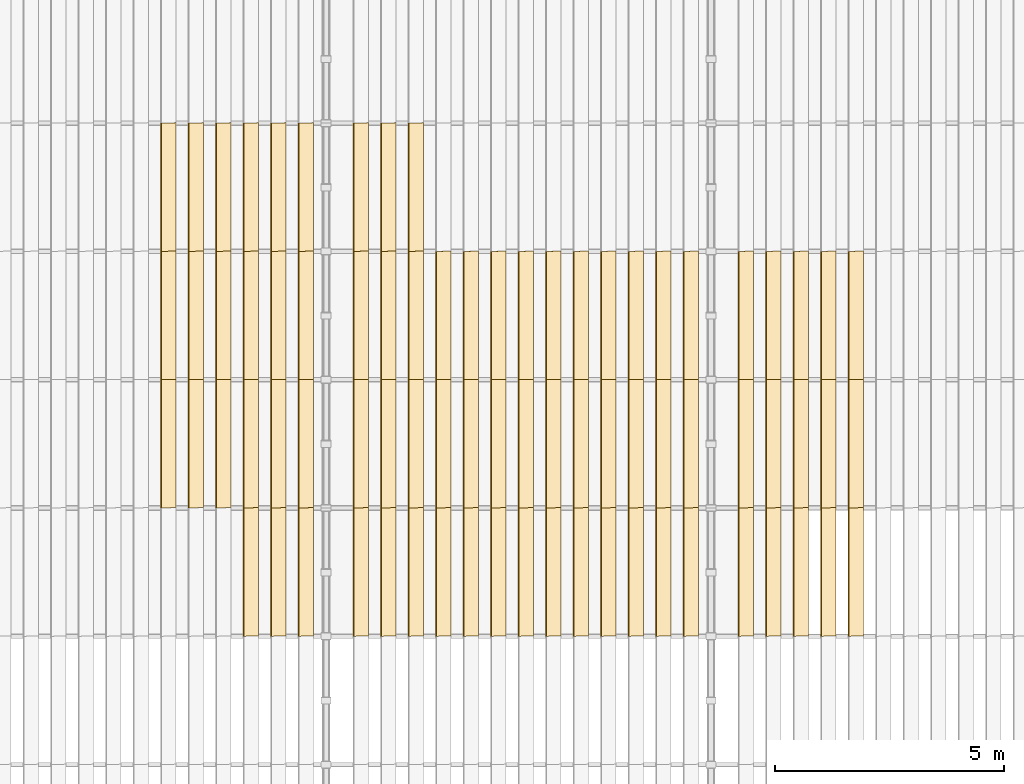
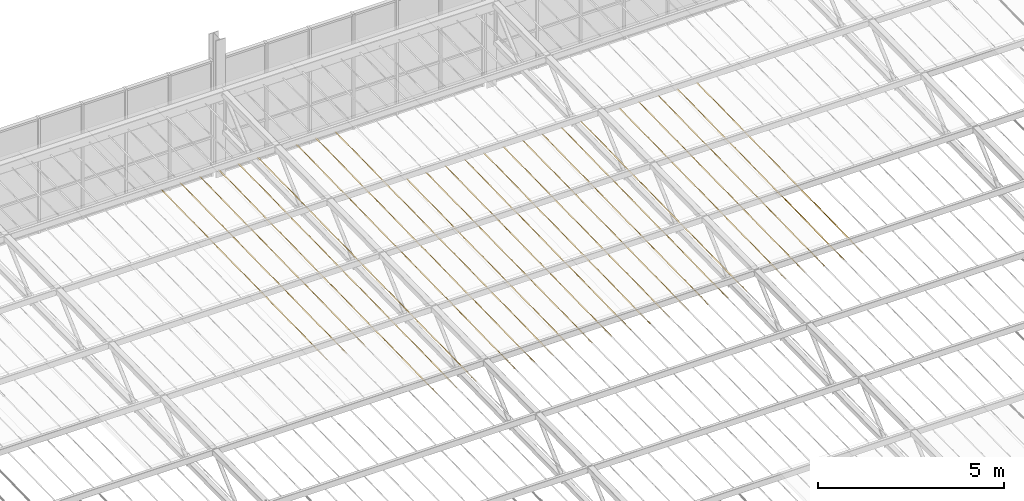
# One storey, part 123 of 129: 78 coverings.
"""IFC4 building model written with IfcOpenShell, lengths in metres."""

from ifc_helpers import new_model, si_unit, direction, frame, origin, place, context, subcontext, project, spatial, polyline, outline, extrude, material, material_profile, profile_set, type_object, element, save


model = new_model("IFC4")

# Units and contexts
model_context = context("Model", 3, precision=1e-05, world=origin(), true_north=direction((0.0, 1.0)))
body_context = subcontext(model_context, "Body", "Model", "MODEL_VIEW")
ifc_project = project(units=[si_unit("LENGTHUNIT", "METRE"), si_unit("AREAUNIT", "SQUARE_METRE"), si_unit("VOLUMEUNIT", "CUBIC_METRE"), si_unit("PLANEANGLEUNIT", "RADIAN"), si_unit("MASSUNIT", "GRAM", prefix="KILO")], contexts=[model_context])

# Site, building, storey
site_placement = place(None, origin())
site = spatial("IfcSite", under=ifc_project, at=site_placement, CompositionType="ELEMENT")
building_placement = place(site_placement, origin())
building = spatial("IfcBuilding", under=site, at=building_placement, Name="Ardhachandra Cancer Care Centre", CompositionType="ELEMENT")
storey_placement = place(building_placement, frame((0.0, 0.0, 4.5)))
storey = spatial("IfcBuildingStorey", under=building, at=storey_placement, Name="L01", CompositionType="ELEMENT", Elevation=4.5)

# Coverings
ifc_material = material(Name="Anodised aluminium", Category="aluminium")
ifc_material_profile = material_profile(ifc_material, outline(polyline([(-0.01220703125, 0.0), (0.01220703125, 0.0), (0.327392578125, -0.449951171875), (0.302978515625, -0.449951171875), (-0.01220703125, 0.0)])), Name="Louvre fin 450")
ifc_profile_set = profile_set([ifc_material_profile], Name="Anodised aluminium")
covering_type = type_object("IfcCoveringType", Name="Louvre fin 450", PredefinedType="CLADDING", material=ifc_profile_set)
for number, where, z_axis, x_axis, name in (
    (1, (74.39990234375, 51.375, 2.6875), (0.0, -0.999800721691, -0.019962888244), (1.0, 0.0, 0.0), "Louvre fin 50-2"),
    (2, (74.39990234375, 48.574951171875, 2.631591796875), (0.0, -0.999798977995, -0.02005002746), (1.0, 0.0, 0.0), "Louvre fin 50-3"),
):
    element("IfcCovering", number, at=place(storey_placement, frame(where, z_axis=z_axis, x_axis=x_axis)), inside=storey, type_object=covering_type, Name=name, PredefinedType="CLADDING", context=body_context, shape_type="SweptSolid", body=[
        extrude(outline(polyline([(-0.01220703125, 0.0), (0.01220703125, 0.0), (0.327392578125, -0.449951171875), (0.302978515625, -0.449951171875), (-0.01220703125, 0.0)])), origin(), (0.0, 0.0, 1.0), 2.800537109375),
    ])
covering_1_placement = place(storey_placement, frame((74.39990234375, 45.77490234375, 2.575439453125), z_axis=(0.0, -0.999800686946, -0.019964628297), x_axis=(1.0, 0.0, 0.0)))
element("IfcCovering", 3, at=covering_1_placement, inside=storey, type_object=covering_type, Name="Louvre fin 50-4", PredefinedType="CLADDING", context=body_context, shape_type="SweptSolid", body=[
    extrude(outline(polyline([(-0.01220703125, 0.0), (0.01220703125, 0.0), (0.327392578125, -0.449951171875), (0.302978515625, -0.449951171875), (-0.01220703125, 0.0)])), origin(), (0.0, 0.0, 1.0), 2.80029296875),
])
for number, where, z_axis, x_axis, name in (
    (4, (75.0, 51.375, 2.6875), (0.0, -0.999800721691, -0.019962888244), (1.0, 0.0, 0.0), "Louvre fin 51-2"),
    (5, (75.0, 48.574951171875, 2.631591796875), (0.0, -0.999798977995, -0.02005002746), (1.0, 0.0, 0.0), "Louvre fin 51-3"),
):
    element("IfcCovering", number, at=place(storey_placement, frame(where, z_axis=z_axis, x_axis=x_axis)), inside=storey, type_object=covering_type, Name=name, PredefinedType="CLADDING", context=body_context, shape_type="SweptSolid", body=[
        extrude(outline(polyline([(-0.01220703125, 0.0), (0.01220703125, 0.0), (0.327392578125, -0.449951171875), (0.302978515625, -0.449951171875), (-0.01220703125, 0.0)])), origin(), (0.0, 0.0, 1.0), 2.800537109375),
    ])
covering_2_placement = place(storey_placement, frame((75.0, 45.77490234375, 2.575439453125), z_axis=(0.0, -0.999800686946, -0.019964628297), x_axis=(1.0, 0.0, 0.0)))
element("IfcCovering", 6, at=covering_2_placement, inside=storey, type_object=covering_type, Name="Louvre fin 51-4", PredefinedType="CLADDING", context=body_context, shape_type="SweptSolid", body=[
    extrude(outline(polyline([(-0.01220703125, 0.0), (0.01220703125, 0.0), (0.327392578125, -0.449951171875), (0.302978515625, -0.449951171875), (-0.01220703125, 0.0)])), origin(), (0.0, 0.0, 1.0), 2.80029296875),
])
for number, where, z_axis, x_axis, name in (
    (7, (75.60009765625, 51.375, 2.6875), (0.0, -0.999800721691, -0.019962888244), (1.0, 0.0, 0.0), "Louvre fin 52-2"),
    (8, (75.60009765625, 48.574951171875, 2.631591796875), (0.0, -0.999798977995, -0.02005002746), (1.0, 0.0, 0.0), "Louvre fin 52-3"),
):
    element("IfcCovering", number, at=place(storey_placement, frame(where, z_axis=z_axis, x_axis=x_axis)), inside=storey, type_object=covering_type, Name=name, PredefinedType="CLADDING", context=body_context, shape_type="SweptSolid", body=[
        extrude(outline(polyline([(-0.01220703125, 0.0), (0.01220703125, 0.0), (0.327392578125, -0.449951171875), (0.302978515625, -0.449951171875), (-0.01220703125, 0.0)])), origin(), (0.0, 0.0, 1.0), 2.800537109375),
    ])
covering_3_placement = place(storey_placement, frame((75.60009765625, 45.77490234375, 2.575439453125), z_axis=(0.0, -0.999800686946, -0.019964628297), x_axis=(1.0, 0.0, 0.0)))
element("IfcCovering", 9, at=covering_3_placement, inside=storey, type_object=covering_type, Name="Louvre fin 52-4", PredefinedType="CLADDING", context=body_context, shape_type="SweptSolid", body=[
    extrude(outline(polyline([(-0.01220703125, 0.0), (0.01220703125, 0.0), (0.327392578125, -0.449951171875), (0.302978515625, -0.449951171875), (-0.01220703125, 0.0)])), origin(), (0.0, 0.0, 1.0), 2.80029296875),
])
for number, where, z_axis, x_axis, name in (
    (10, (76.199951171875, 51.375, 2.6875), (0.0, -0.999800721691, -0.019962888244), (1.0, 0.0, 0.0), "Louvre fin 53-2"),
    (11, (76.199951171875, 48.574951171875, 2.631591796875), (0.0, -0.999798977995, -0.02005002746), (1.0, 0.0, 0.0), "Louvre fin 53-3"),
):
    element("IfcCovering", number, at=place(storey_placement, frame(where, z_axis=z_axis, x_axis=x_axis)), inside=storey, type_object=covering_type, Name=name, PredefinedType="CLADDING", context=body_context, shape_type="SweptSolid", body=[
        extrude(outline(polyline([(-0.01220703125, 0.0), (0.01220703125, 0.0), (0.327392578125, -0.449951171875), (0.302978515625, -0.449951171875), (-0.01220703125, 0.0)])), origin(), (0.0, 0.0, 1.0), 2.800537109375),
    ])
covering_4_placement = place(storey_placement, frame((76.199951171875, 45.77490234375, 2.575439453125), z_axis=(0.0, -0.999800686946, -0.019964628297), x_axis=(1.0, 0.0, 0.0)))
element("IfcCovering", 12, at=covering_4_placement, inside=storey, type_object=covering_type, Name="Louvre fin 53-4", PredefinedType="CLADDING", context=body_context, shape_type="SweptSolid", body=[
    extrude(outline(polyline([(-0.01220703125, 0.0), (0.01220703125, 0.0), (0.327392578125, -0.449951171875), (0.302978515625, -0.449951171875), (-0.01220703125, 0.0)])), origin(), (0.0, 0.0, 1.0), 2.80029296875),
])
for number, where, z_axis, x_axis, name in (
    (13, (76.199951171875, 42.97509765625, 2.51953125), (0.0, -0.999798977995, -0.02005002746), (1.0, 0.0, 0.0), "Louvre fin 53-5"),
    (14, (76.800048828125, 51.375, 2.6875), (0.0, -0.999800721691, -0.019962888244), (1.0, 0.0, 0.0), "Louvre fin 54-2"),
    (15, (76.800048828125, 48.574951171875, 2.631591796875), (0.0, -0.999798977995, -0.02005002746), (1.0, 0.0, 0.0), "Louvre fin 54-3"),
):
    element("IfcCovering", number, at=place(storey_placement, frame(where, z_axis=z_axis, x_axis=x_axis)), inside=storey, type_object=covering_type, Name=name, PredefinedType="CLADDING", context=body_context, shape_type="SweptSolid", body=[
        extrude(outline(polyline([(-0.01220703125, 0.0), (0.01220703125, 0.0), (0.327392578125, -0.449951171875), (0.302978515625, -0.449951171875), (-0.01220703125, 0.0)])), origin(), (0.0, 0.0, 1.0), 2.800537109375),
    ])
covering_5_placement = place(storey_placement, frame((76.800048828125, 45.77490234375, 2.575439453125), z_axis=(0.0, -0.999800686946, -0.019964628297), x_axis=(1.0, 0.0, 0.0)))
element("IfcCovering", 16, at=covering_5_placement, inside=storey, type_object=covering_type, Name="Louvre fin 54-4", PredefinedType="CLADDING", context=body_context, shape_type="SweptSolid", body=[
    extrude(outline(polyline([(-0.01220703125, 0.0), (0.01220703125, 0.0), (0.327392578125, -0.449951171875), (0.302978515625, -0.449951171875), (-0.01220703125, 0.0)])), origin(), (0.0, 0.0, 1.0), 2.80029296875),
])
for number, where, z_axis, x_axis, name in (
    (17, (76.800048828125, 42.97509765625, 2.51953125), (0.0, -0.999798977995, -0.02005002746), (1.0, 0.0, 0.0), "Louvre fin 54-5"),
    (18, (77.39990234375, 51.375, 2.6875), (0.0, -0.999800721691, -0.019962888244), (1.0, 0.0, 0.0), "Louvre fin 55-2"),
    (19, (77.39990234375, 48.574951171875, 2.631591796875), (0.0, -0.999798977995, -0.02005002746), (1.0, 0.0, 0.0), "Louvre fin 55-3"),
):
    element("IfcCovering", number, at=place(storey_placement, frame(where, z_axis=z_axis, x_axis=x_axis)), inside=storey, type_object=covering_type, Name=name, PredefinedType="CLADDING", context=body_context, shape_type="SweptSolid", body=[
        extrude(outline(polyline([(-0.01220703125, 0.0), (0.01220703125, 0.0), (0.327392578125, -0.449951171875), (0.302978515625, -0.449951171875), (-0.01220703125, 0.0)])), origin(), (0.0, 0.0, 1.0), 2.800537109375),
    ])
covering_6_placement = place(storey_placement, frame((77.39990234375, 45.77490234375, 2.575439453125), z_axis=(0.0, -0.999800686946, -0.019964628297), x_axis=(1.0, 0.0, 0.0)))
element("IfcCovering", 20, at=covering_6_placement, inside=storey, type_object=covering_type, Name="Louvre fin 55-4", PredefinedType="CLADDING", context=body_context, shape_type="SweptSolid", body=[
    extrude(outline(polyline([(-0.01220703125, 0.0), (0.01220703125, 0.0), (0.327392578125, -0.449951171875), (0.302978515625, -0.449951171875), (-0.01220703125, 0.0)])), origin(), (0.0, 0.0, 1.0), 2.80029296875),
])
for number, where, z_axis, x_axis, name in (
    (21, (77.39990234375, 42.97509765625, 2.51953125), (0.0, -0.999798977995, -0.02005002746), (1.0, 0.0, 0.0), "Louvre fin 55-5"),
    (22, (78.60009765625, 51.375, 2.6875), (0.0, -0.999800721691, -0.019962888244), (1.0, 0.0, 0.0), "Louvre fin 57-2"),
    (23, (78.60009765625, 48.574951171875, 2.631591796875), (0.0, -0.999798977995, -0.02005002746), (1.0, 0.0, 0.0), "Louvre fin 57-3"),
):
    element("IfcCovering", number, at=place(storey_placement, frame(where, z_axis=z_axis, x_axis=x_axis)), inside=storey, type_object=covering_type, Name=name, PredefinedType="CLADDING", context=body_context, shape_type="SweptSolid", body=[
        extrude(outline(polyline([(-0.01220703125, 0.0), (0.01220703125, 0.0), (0.327392578125, -0.449951171875), (0.302978515625, -0.449951171875), (-0.01220703125, 0.0)])), origin(), (0.0, 0.0, 1.0), 2.800537109375),
    ])
covering_7_placement = place(storey_placement, frame((78.60009765625, 45.77490234375, 2.575439453125), z_axis=(0.0, -0.999800686946, -0.019964628297), x_axis=(1.0, 0.0, 0.0)))
element("IfcCovering", 24, at=covering_7_placement, inside=storey, type_object=covering_type, Name="Louvre fin 57-4", PredefinedType="CLADDING", context=body_context, shape_type="SweptSolid", body=[
    extrude(outline(polyline([(-0.01220703125, 0.0), (0.01220703125, 0.0), (0.327392578125, -0.449951171875), (0.302978515625, -0.449951171875), (-0.01220703125, 0.0)])), origin(), (0.0, 0.0, 1.0), 2.80029296875),
])
for number, where, z_axis, x_axis, name in (
    (25, (78.60009765625, 42.97509765625, 2.51953125), (0.0, -0.999798977995, -0.02005002746), (1.0, 0.0, 0.0), "Louvre fin 57-5"),
    (26, (79.199951171875, 51.375, 2.6875), (0.0, -0.999800721691, -0.019962888244), (1.0, 0.0, 0.0), "Louvre fin 58-2"),
    (27, (79.199951171875, 48.574951171875, 2.631591796875), (0.0, -0.999798977995, -0.02005002746), (1.0, 0.0, 0.0), "Louvre fin 58-3"),
):
    element("IfcCovering", number, at=place(storey_placement, frame(where, z_axis=z_axis, x_axis=x_axis)), inside=storey, type_object=covering_type, Name=name, PredefinedType="CLADDING", context=body_context, shape_type="SweptSolid", body=[
        extrude(outline(polyline([(-0.01220703125, 0.0), (0.01220703125, 0.0), (0.327392578125, -0.449951171875), (0.302978515625, -0.449951171875), (-0.01220703125, 0.0)])), origin(), (0.0, 0.0, 1.0), 2.800537109375),
    ])
covering_8_placement = place(storey_placement, frame((79.199951171875, 45.77490234375, 2.575439453125), z_axis=(0.0, -0.999800686946, -0.019964628297), x_axis=(1.0, 0.0, 0.0)))
element("IfcCovering", 28, at=covering_8_placement, inside=storey, type_object=covering_type, Name="Louvre fin 58-4", PredefinedType="CLADDING", context=body_context, shape_type="SweptSolid", body=[
    extrude(outline(polyline([(-0.01220703125, 0.0), (0.01220703125, 0.0), (0.327392578125, -0.449951171875), (0.302978515625, -0.449951171875), (-0.01220703125, 0.0)])), origin(), (0.0, 0.0, 1.0), 2.80029296875),
])
for number, where, z_axis, x_axis, name in (
    (29, (79.199951171875, 42.97509765625, 2.51953125), (0.0, -0.999798977995, -0.02005002746), (1.0, 0.0, 0.0), "Louvre fin 58-5"),
    (30, (79.800048828125, 51.375, 2.6875), (0.0, -0.999800721691, -0.019962888244), (1.0, 0.0, 0.0), "Louvre fin 59-2"),
    (31, (79.800048828125, 48.574951171875, 2.631591796875), (0.0, -0.999798977995, -0.02005002746), (1.0, 0.0, 0.0), "Louvre fin 59-3"),
):
    element("IfcCovering", number, at=place(storey_placement, frame(where, z_axis=z_axis, x_axis=x_axis)), inside=storey, type_object=covering_type, Name=name, PredefinedType="CLADDING", context=body_context, shape_type="SweptSolid", body=[
        extrude(outline(polyline([(-0.01220703125, 0.0), (0.01220703125, 0.0), (0.327392578125, -0.449951171875), (0.302978515625, -0.449951171875), (-0.01220703125, 0.0)])), origin(), (0.0, 0.0, 1.0), 2.800537109375),
    ])
covering_9_placement = place(storey_placement, frame((79.800048828125, 45.77490234375, 2.575439453125), z_axis=(0.0, -0.999800686946, -0.019964628297), x_axis=(1.0, 0.0, 0.0)))
element("IfcCovering", 32, at=covering_9_placement, inside=storey, type_object=covering_type, Name="Louvre fin 59-4", PredefinedType="CLADDING", context=body_context, shape_type="SweptSolid", body=[
    extrude(outline(polyline([(-0.01220703125, 0.0), (0.01220703125, 0.0), (0.327392578125, -0.449951171875), (0.302978515625, -0.449951171875), (-0.01220703125, 0.0)])), origin(), (0.0, 0.0, 1.0), 2.80029296875),
])
for number, where, z_axis, x_axis, name in (
    (33, (79.800048828125, 42.97509765625, 2.51953125), (0.0, -0.999798977995, -0.02005002746), (1.0, 0.0, 0.0), "Louvre fin 59-5"),
    (34, (80.39990234375, 48.574951171875, 2.631591796875), (0.0, -0.999798977995, -0.02005002746), (1.0, 0.0, 0.0), "Louvre fin 60-3"),
):
    element("IfcCovering", number, at=place(storey_placement, frame(where, z_axis=z_axis, x_axis=x_axis)), inside=storey, type_object=covering_type, Name=name, PredefinedType="CLADDING", context=body_context, shape_type="SweptSolid", body=[
        extrude(outline(polyline([(-0.01220703125, 0.0), (0.01220703125, 0.0), (0.327392578125, -0.449951171875), (0.302978515625, -0.449951171875), (-0.01220703125, 0.0)])), origin(), (0.0, 0.0, 1.0), 2.800537109375),
    ])
covering_10_placement = place(storey_placement, frame((80.39990234375, 45.77490234375, 2.575439453125), z_axis=(0.0, -0.999800686946, -0.019964628297), x_axis=(1.0, 0.0, 0.0)))
element("IfcCovering", 35, at=covering_10_placement, inside=storey, type_object=covering_type, Name="Louvre fin 60-4", PredefinedType="CLADDING", context=body_context, shape_type="SweptSolid", body=[
    extrude(outline(polyline([(-0.01220703125, 0.0), (0.01220703125, 0.0), (0.327392578125, -0.449951171875), (0.302978515625, -0.449951171875), (-0.01220703125, 0.0)])), origin(), (0.0, 0.0, 1.0), 2.80029296875),
])
for number, where, z_axis, x_axis, name in (
    (36, (80.39990234375, 42.97509765625, 2.51953125), (0.0, -0.999798977995, -0.02005002746), (1.0, 0.0, 0.0), "Louvre fin 60-5"),
    (37, (81.0, 48.574951171875, 2.631591796875), (0.0, -0.999798977995, -0.02005002746), (1.0, 0.0, 0.0), "Louvre fin 61-3"),
):
    element("IfcCovering", number, at=place(storey_placement, frame(where, z_axis=z_axis, x_axis=x_axis)), inside=storey, type_object=covering_type, Name=name, PredefinedType="CLADDING", context=body_context, shape_type="SweptSolid", body=[
        extrude(outline(polyline([(-0.01220703125, 0.0), (0.01220703125, 0.0), (0.327392578125, -0.449951171875), (0.302978515625, -0.449951171875), (-0.01220703125, 0.0)])), origin(), (0.0, 0.0, 1.0), 2.800537109375),
    ])
covering_11_placement = place(storey_placement, frame((81.0, 45.77490234375, 2.575439453125), z_axis=(0.0, -0.999800686946, -0.019964628297), x_axis=(1.0, 0.0, 0.0)))
element("IfcCovering", 38, at=covering_11_placement, inside=storey, type_object=covering_type, Name="Louvre fin 61-4", PredefinedType="CLADDING", context=body_context, shape_type="SweptSolid", body=[
    extrude(outline(polyline([(-0.01220703125, 0.0), (0.01220703125, 0.0), (0.327392578125, -0.449951171875), (0.302978515625, -0.449951171875), (-0.01220703125, 0.0)])), origin(), (0.0, 0.0, 1.0), 2.80029296875),
])
for number, where, z_axis, x_axis, name in (
    (39, (81.0, 42.97509765625, 2.51953125), (0.0, -0.999798977995, -0.02005002746), (1.0, 0.0, 0.0), "Louvre fin 61-5"),
    (40, (81.60009765625, 48.574951171875, 2.631591796875), (0.0, -0.999798977995, -0.02005002746), (1.0, 0.0, 0.0), "Louvre fin 62-3"),
):
    element("IfcCovering", number, at=place(storey_placement, frame(where, z_axis=z_axis, x_axis=x_axis)), inside=storey, type_object=covering_type, Name=name, PredefinedType="CLADDING", context=body_context, shape_type="SweptSolid", body=[
        extrude(outline(polyline([(-0.01220703125, 0.0), (0.01220703125, 0.0), (0.327392578125, -0.449951171875), (0.302978515625, -0.449951171875), (-0.01220703125, 0.0)])), origin(), (0.0, 0.0, 1.0), 2.800537109375),
    ])
covering_12_placement = place(storey_placement, frame((81.60009765625, 45.77490234375, 2.575439453125), z_axis=(0.0, -0.999800686946, -0.019964628297), x_axis=(1.0, 0.0, 0.0)))
element("IfcCovering", 41, at=covering_12_placement, inside=storey, type_object=covering_type, Name="Louvre fin 62-4", PredefinedType="CLADDING", context=body_context, shape_type="SweptSolid", body=[
    extrude(outline(polyline([(-0.01220703125, 0.0), (0.01220703125, 0.0), (0.327392578125, -0.449951171875), (0.302978515625, -0.449951171875), (-0.01220703125, 0.0)])), origin(), (0.0, 0.0, 1.0), 2.80029296875),
])
for number, where, z_axis, x_axis, name in (
    (42, (81.60009765625, 42.97509765625, 2.51953125), (0.0, -0.999798977995, -0.02005002746), (1.0, 0.0, 0.0), "Louvre fin 62-5"),
    (43, (82.199951171875, 48.574951171875, 2.631591796875), (0.0, -0.999798977995, -0.02005002746), (1.0, 0.0, 0.0), "Louvre fin 63-3"),
):
    element("IfcCovering", number, at=place(storey_placement, frame(where, z_axis=z_axis, x_axis=x_axis)), inside=storey, type_object=covering_type, Name=name, PredefinedType="CLADDING", context=body_context, shape_type="SweptSolid", body=[
        extrude(outline(polyline([(-0.01220703125, 0.0), (0.01220703125, 0.0), (0.327392578125, -0.449951171875), (0.302978515625, -0.449951171875), (-0.01220703125, 0.0)])), origin(), (0.0, 0.0, 1.0), 2.800537109375),
    ])
covering_13_placement = place(storey_placement, frame((82.199951171875, 45.77490234375, 2.575439453125), z_axis=(0.0, -0.999800686946, -0.019964628297), x_axis=(1.0, 0.0, 0.0)))
element("IfcCovering", 44, at=covering_13_placement, inside=storey, type_object=covering_type, Name="Louvre fin 63-4", PredefinedType="CLADDING", context=body_context, shape_type="SweptSolid", body=[
    extrude(outline(polyline([(-0.01220703125, 0.0), (0.01220703125, 0.0), (0.327392578125, -0.449951171875), (0.302978515625, -0.449951171875), (-0.01220703125, 0.0)])), origin(), (0.0, 0.0, 1.0), 2.80029296875),
])
for number, where, z_axis, x_axis, name in (
    (45, (82.199951171875, 42.97509765625, 2.51953125), (0.0, -0.999798977995, -0.02005002746), (1.0, 0.0, 0.0), "Louvre fin 63-5"),
    (46, (82.800048828125, 48.574951171875, 2.631591796875), (0.0, -0.999798977995, -0.02005002746), (1.0, 0.0, 0.0), "Louvre fin 64-3"),
):
    element("IfcCovering", number, at=place(storey_placement, frame(where, z_axis=z_axis, x_axis=x_axis)), inside=storey, type_object=covering_type, Name=name, PredefinedType="CLADDING", context=body_context, shape_type="SweptSolid", body=[
        extrude(outline(polyline([(-0.01220703125, 0.0), (0.01220703125, 0.0), (0.327392578125, -0.449951171875), (0.302978515625, -0.449951171875), (-0.01220703125, 0.0)])), origin(), (0.0, 0.0, 1.0), 2.800537109375),
    ])
covering_14_placement = place(storey_placement, frame((82.800048828125, 45.77490234375, 2.575439453125), z_axis=(0.0, -0.999800686946, -0.019964628297), x_axis=(1.0, 0.0, 0.0)))
element("IfcCovering", 47, at=covering_14_placement, inside=storey, type_object=covering_type, Name="Louvre fin 64-4", PredefinedType="CLADDING", context=body_context, shape_type="SweptSolid", body=[
    extrude(outline(polyline([(-0.01220703125, 0.0), (0.01220703125, 0.0), (0.327392578125, -0.449951171875), (0.302978515625, -0.449951171875), (-0.01220703125, 0.0)])), origin(), (0.0, 0.0, 1.0), 2.80029296875),
])
for number, where, z_axis, x_axis, name in (
    (48, (82.800048828125, 42.97509765625, 2.51953125), (0.0, -0.999798977995, -0.02005002746), (1.0, 0.0, 0.0), "Louvre fin 64-5"),
    (49, (83.39990234375, 48.574951171875, 2.631591796875), (0.0, -0.999798977995, -0.02005002746), (1.0, 0.0, 0.0), "Louvre fin 65-3"),
):
    element("IfcCovering", number, at=place(storey_placement, frame(where, z_axis=z_axis, x_axis=x_axis)), inside=storey, type_object=covering_type, Name=name, PredefinedType="CLADDING", context=body_context, shape_type="SweptSolid", body=[
        extrude(outline(polyline([(-0.01220703125, 0.0), (0.01220703125, 0.0), (0.327392578125, -0.449951171875), (0.302978515625, -0.449951171875), (-0.01220703125, 0.0)])), origin(), (0.0, 0.0, 1.0), 2.800537109375),
    ])
covering_15_placement = place(storey_placement, frame((83.39990234375, 45.77490234375, 2.575439453125), z_axis=(0.0, -0.999800686946, -0.019964628297), x_axis=(1.0, 0.0, 0.0)))
element("IfcCovering", 50, at=covering_15_placement, inside=storey, type_object=covering_type, Name="Louvre fin 65-4", PredefinedType="CLADDING", context=body_context, shape_type="SweptSolid", body=[
    extrude(outline(polyline([(-0.01220703125, 0.0), (0.01220703125, 0.0), (0.327392578125, -0.449951171875), (0.302978515625, -0.449951171875), (-0.01220703125, 0.0)])), origin(), (0.0, 0.0, 1.0), 2.80029296875),
])
for number, where, z_axis, x_axis, name in (
    (51, (83.39990234375, 42.97509765625, 2.51953125), (0.0, -0.999798977995, -0.02005002746), (1.0, 0.0, 0.0), "Louvre fin 65-5"),
    (52, (84.0, 48.574951171875, 2.631591796875), (0.0, -0.999798977995, -0.02005002746), (1.0, 0.0, 0.0), "Louvre fin 66-3"),
):
    element("IfcCovering", number, at=place(storey_placement, frame(where, z_axis=z_axis, x_axis=x_axis)), inside=storey, type_object=covering_type, Name=name, PredefinedType="CLADDING", context=body_context, shape_type="SweptSolid", body=[
        extrude(outline(polyline([(-0.01220703125, 0.0), (0.01220703125, 0.0), (0.327392578125, -0.449951171875), (0.302978515625, -0.449951171875), (-0.01220703125, 0.0)])), origin(), (0.0, 0.0, 1.0), 2.800537109375),
    ])
covering_16_placement = place(storey_placement, frame((84.0, 45.77490234375, 2.575439453125), z_axis=(0.0, -0.999800686946, -0.019964628297), x_axis=(1.0, 0.0, 0.0)))
element("IfcCovering", 53, at=covering_16_placement, inside=storey, type_object=covering_type, Name="Louvre fin 66-4", PredefinedType="CLADDING", context=body_context, shape_type="SweptSolid", body=[
    extrude(outline(polyline([(-0.01220703125, 0.0), (0.01220703125, 0.0), (0.327392578125, -0.449951171875), (0.302978515625, -0.449951171875), (-0.01220703125, 0.0)])), origin(), (0.0, 0.0, 1.0), 2.80029296875),
])
for number, where, z_axis, x_axis, name in (
    (54, (84.0, 42.97509765625, 2.51953125), (0.0, -0.999798977995, -0.02005002746), (1.0, 0.0, 0.0), "Louvre fin 66-5"),
    (55, (84.60009765625, 48.574951171875, 2.631591796875), (0.0, -0.999798977995, -0.02005002746), (1.0, 0.0, 0.0), "Louvre fin 67-3"),
):
    element("IfcCovering", number, at=place(storey_placement, frame(where, z_axis=z_axis, x_axis=x_axis)), inside=storey, type_object=covering_type, Name=name, PredefinedType="CLADDING", context=body_context, shape_type="SweptSolid", body=[
        extrude(outline(polyline([(-0.01220703125, 0.0), (0.01220703125, 0.0), (0.327392578125, -0.449951171875), (0.302978515625, -0.449951171875), (-0.01220703125, 0.0)])), origin(), (0.0, 0.0, 1.0), 2.800537109375),
    ])
covering_17_placement = place(storey_placement, frame((84.60009765625, 45.77490234375, 2.575439453125), z_axis=(0.0, -0.999800686946, -0.019964628297), x_axis=(1.0, 0.0, 0.0)))
element("IfcCovering", 56, at=covering_17_placement, inside=storey, type_object=covering_type, Name="Louvre fin 67-4", PredefinedType="CLADDING", context=body_context, shape_type="SweptSolid", body=[
    extrude(outline(polyline([(-0.01220703125, 0.0), (0.01220703125, 0.0), (0.327392578125, -0.449951171875), (0.302978515625, -0.449951171875), (-0.01220703125, 0.0)])), origin(), (0.0, 0.0, 1.0), 2.80029296875),
])
for number, where, z_axis, x_axis, name in (
    (57, (84.60009765625, 42.97509765625, 2.51953125), (0.0, -0.999798977995, -0.02005002746), (1.0, 0.0, 0.0), "Louvre fin 67-5"),
    (58, (85.199951171875, 48.574951171875, 2.631591796875), (0.0, -0.999798977995, -0.02005002746), (1.0, 0.0, 0.0), "Louvre fin 68-3"),
):
    element("IfcCovering", number, at=place(storey_placement, frame(where, z_axis=z_axis, x_axis=x_axis)), inside=storey, type_object=covering_type, Name=name, PredefinedType="CLADDING", context=body_context, shape_type="SweptSolid", body=[
        extrude(outline(polyline([(-0.01220703125, 0.0), (0.01220703125, 0.0), (0.327392578125, -0.449951171875), (0.302978515625, -0.449951171875), (-0.01220703125, 0.0)])), origin(), (0.0, 0.0, 1.0), 2.800537109375),
    ])
covering_18_placement = place(storey_placement, frame((85.199951171875, 45.77490234375, 2.575439453125), z_axis=(0.0, -0.999800686946, -0.019964628297), x_axis=(1.0, 0.0, 0.0)))
element("IfcCovering", 59, at=covering_18_placement, inside=storey, type_object=covering_type, Name="Louvre fin 68-4", PredefinedType="CLADDING", context=body_context, shape_type="SweptSolid", body=[
    extrude(outline(polyline([(-0.01220703125, 0.0), (0.01220703125, 0.0), (0.327392578125, -0.449951171875), (0.302978515625, -0.449951171875), (-0.01220703125, 0.0)])), origin(), (0.0, 0.0, 1.0), 2.80029296875),
])
for number, where, z_axis, x_axis, name in (
    (60, (85.199951171875, 42.97509765625, 2.51953125), (0.0, -0.999798977995, -0.02005002746), (1.0, 0.0, 0.0), "Louvre fin 68-5"),
    (61, (85.800048828125, 48.574951171875, 2.631591796875), (0.0, -0.999798977995, -0.02005002746), (1.0, 0.0, 0.0), "Louvre fin 69-3"),
):
    element("IfcCovering", number, at=place(storey_placement, frame(where, z_axis=z_axis, x_axis=x_axis)), inside=storey, type_object=covering_type, Name=name, PredefinedType="CLADDING", context=body_context, shape_type="SweptSolid", body=[
        extrude(outline(polyline([(-0.01220703125, 0.0), (0.01220703125, 0.0), (0.327392578125, -0.449951171875), (0.302978515625, -0.449951171875), (-0.01220703125, 0.0)])), origin(), (0.0, 0.0, 1.0), 2.800537109375),
    ])
covering_19_placement = place(storey_placement, frame((85.800048828125, 45.77490234375, 2.575439453125), z_axis=(0.0, -0.999800686946, -0.019964628297), x_axis=(1.0, 0.0, 0.0)))
element("IfcCovering", 62, at=covering_19_placement, inside=storey, type_object=covering_type, Name="Louvre fin 69-4", PredefinedType="CLADDING", context=body_context, shape_type="SweptSolid", body=[
    extrude(outline(polyline([(-0.01220703125, 0.0), (0.01220703125, 0.0), (0.327392578125, -0.449951171875), (0.302978515625, -0.449951171875), (-0.01220703125, 0.0)])), origin(), (0.0, 0.0, 1.0), 2.80029296875),
])
for number, where, z_axis, x_axis, name in (
    (63, (85.800048828125, 42.97509765625, 2.51953125), (0.0, -0.999798977995, -0.02005002746), (1.0, 0.0, 0.0), "Louvre fin 69-5"),
    (64, (87.0, 48.574951171875, 2.631591796875), (0.0, -0.999798977995, -0.02005002746), (1.0, 0.0, 0.0), "Louvre fin 71-3"),
):
    element("IfcCovering", number, at=place(storey_placement, frame(where, z_axis=z_axis, x_axis=x_axis)), inside=storey, type_object=covering_type, Name=name, PredefinedType="CLADDING", context=body_context, shape_type="SweptSolid", body=[
        extrude(outline(polyline([(-0.01220703125, 0.0), (0.01220703125, 0.0), (0.327392578125, -0.449951171875), (0.302978515625, -0.449951171875), (-0.01220703125, 0.0)])), origin(), (0.0, 0.0, 1.0), 2.800537109375),
    ])
covering_20_placement = place(storey_placement, frame((87.0, 45.77490234375, 2.575439453125), z_axis=(0.0, -0.999800686946, -0.019964628297), x_axis=(1.0, 0.0, 0.0)))
element("IfcCovering", 65, at=covering_20_placement, inside=storey, type_object=covering_type, Name="Louvre fin 71-4", PredefinedType="CLADDING", context=body_context, shape_type="SweptSolid", body=[
    extrude(outline(polyline([(-0.01220703125, 0.0), (0.01220703125, 0.0), (0.327392578125, -0.449951171875), (0.302978515625, -0.449951171875), (-0.01220703125, 0.0)])), origin(), (0.0, 0.0, 1.0), 2.80029296875),
])
for number, where, z_axis, x_axis, name in (
    (66, (87.0, 42.97509765625, 2.51953125), (0.0, -0.999798977995, -0.02005002746), (1.0, 0.0, 0.0), "Louvre fin 71-5"),
    (67, (87.60009765625, 48.574951171875, 2.631591796875), (0.0, -0.999798977995, -0.02005002746), (1.0, 0.0, 0.0), "Louvre fin 72-3"),
):
    element("IfcCovering", number, at=place(storey_placement, frame(where, z_axis=z_axis, x_axis=x_axis)), inside=storey, type_object=covering_type, Name=name, PredefinedType="CLADDING", context=body_context, shape_type="SweptSolid", body=[
        extrude(outline(polyline([(-0.01220703125, 0.0), (0.01220703125, 0.0), (0.327392578125, -0.449951171875), (0.302978515625, -0.449951171875), (-0.01220703125, 0.0)])), origin(), (0.0, 0.0, 1.0), 2.800537109375),
    ])
covering_21_placement = place(storey_placement, frame((87.60009765625, 45.77490234375, 2.575439453125), z_axis=(0.0, -0.999800686946, -0.019964628297), x_axis=(1.0, 0.0, 0.0)))
element("IfcCovering", 68, at=covering_21_placement, inside=storey, type_object=covering_type, Name="Louvre fin 72-4", PredefinedType="CLADDING", context=body_context, shape_type="SweptSolid", body=[
    extrude(outline(polyline([(-0.01220703125, 0.0), (0.01220703125, 0.0), (0.327392578125, -0.449951171875), (0.302978515625, -0.449951171875), (-0.01220703125, 0.0)])), origin(), (0.0, 0.0, 1.0), 2.80029296875),
])
for number, where, z_axis, x_axis, name in (
    (69, (87.60009765625, 42.97509765625, 2.51953125), (0.0, -0.999798977995, -0.02005002746), (1.0, 0.0, 0.0), "Louvre fin 72-5"),
    (70, (88.199951171875, 48.574951171875, 2.631591796875), (0.0, -0.999798977995, -0.02005002746), (1.0, 0.0, 0.0), "Louvre fin 73-3"),
):
    element("IfcCovering", number, at=place(storey_placement, frame(where, z_axis=z_axis, x_axis=x_axis)), inside=storey, type_object=covering_type, Name=name, PredefinedType="CLADDING", context=body_context, shape_type="SweptSolid", body=[
        extrude(outline(polyline([(-0.01220703125, 0.0), (0.01220703125, 0.0), (0.327392578125, -0.449951171875), (0.302978515625, -0.449951171875), (-0.01220703125, 0.0)])), origin(), (0.0, 0.0, 1.0), 2.800537109375),
    ])
covering_22_placement = place(storey_placement, frame((88.199951171875, 45.77490234375, 2.575439453125), z_axis=(0.0, -0.999800686946, -0.019964628297), x_axis=(1.0, 0.0, 0.0)))
element("IfcCovering", 71, at=covering_22_placement, inside=storey, type_object=covering_type, Name="Louvre fin 73-4", PredefinedType="CLADDING", context=body_context, shape_type="SweptSolid", body=[
    extrude(outline(polyline([(-0.01220703125, 0.0), (0.01220703125, 0.0), (0.327392578125, -0.449951171875), (0.302978515625, -0.449951171875), (-0.01220703125, 0.0)])), origin(), (0.0, 0.0, 1.0), 2.80029296875),
])
for number, where, z_axis, x_axis, name in (
    (72, (88.199951171875, 42.97509765625, 2.51953125), (0.0, -0.999798977995, -0.02005002746), (1.0, 0.0, 0.0), "Louvre fin 73-5"),
    (73, (88.800048828125, 48.574951171875, 2.631591796875), (0.0, -0.999798977995, -0.02005002746), (1.0, 0.0, 0.0), "Louvre fin 74-3"),
):
    element("IfcCovering", number, at=place(storey_placement, frame(where, z_axis=z_axis, x_axis=x_axis)), inside=storey, type_object=covering_type, Name=name, PredefinedType="CLADDING", context=body_context, shape_type="SweptSolid", body=[
        extrude(outline(polyline([(-0.01220703125, 0.0), (0.01220703125, 0.0), (0.327392578125, -0.449951171875), (0.302978515625, -0.449951171875), (-0.01220703125, 0.0)])), origin(), (0.0, 0.0, 1.0), 2.800537109375),
    ])
covering_23_placement = place(storey_placement, frame((88.800048828125, 45.77490234375, 2.575439453125), z_axis=(0.0, -0.999800686946, -0.019964628297), x_axis=(1.0, 0.0, 0.0)))
element("IfcCovering", 74, at=covering_23_placement, inside=storey, type_object=covering_type, Name="Louvre fin 74-4", PredefinedType="CLADDING", context=body_context, shape_type="SweptSolid", body=[
    extrude(outline(polyline([(-0.01220703125, 0.0), (0.01220703125, 0.0), (0.327392578125, -0.449951171875), (0.302978515625, -0.449951171875), (-0.01220703125, 0.0)])), origin(), (0.0, 0.0, 1.0), 2.80029296875),
])
for number, where, z_axis, x_axis, name in (
    (75, (88.800048828125, 42.97509765625, 2.51953125), (0.0, -0.999798977995, -0.02005002746), (1.0, 0.0, 0.0), "Louvre fin 74-5"),
    (76, (89.39990234375, 48.574951171875, 2.631591796875), (0.0, -0.999798977995, -0.02005002746), (1.0, 0.0, 0.0), "Louvre fin 75-3"),
):
    element("IfcCovering", number, at=place(storey_placement, frame(where, z_axis=z_axis, x_axis=x_axis)), inside=storey, type_object=covering_type, Name=name, PredefinedType="CLADDING", context=body_context, shape_type="SweptSolid", body=[
        extrude(outline(polyline([(-0.01220703125, 0.0), (0.01220703125, 0.0), (0.327392578125, -0.449951171875), (0.302978515625, -0.449951171875), (-0.01220703125, 0.0)])), origin(), (0.0, 0.0, 1.0), 2.800537109375),
    ])
covering_24_placement = place(storey_placement, frame((89.39990234375, 45.77490234375, 2.575439453125), z_axis=(0.0, -0.999800686946, -0.019964628297), x_axis=(1.0, 0.0, 0.0)))
element("IfcCovering", 77, at=covering_24_placement, inside=storey, type_object=covering_type, Name="Louvre fin 75-4", PredefinedType="CLADDING", context=body_context, shape_type="SweptSolid", body=[
    extrude(outline(polyline([(-0.01220703125, 0.0), (0.01220703125, 0.0), (0.327392578125, -0.449951171875), (0.302978515625, -0.449951171875), (-0.01220703125, 0.0)])), origin(), (0.0, 0.0, 1.0), 2.80029296875),
])
covering_25_placement = place(storey_placement, frame((89.39990234375, 42.97509765625, 2.51953125), z_axis=(0.0, -0.999798977995, -0.02005002746), x_axis=(1.0, 0.0, 0.0)))
element("IfcCovering", 78, at=covering_25_placement, inside=storey, type_object=covering_type, Name="Louvre fin 75-5", PredefinedType="CLADDING", context=body_context, shape_type="SweptSolid", body=[
    extrude(outline(polyline([(-0.01220703125, 0.0), (0.01220703125, 0.0), (0.327392578125, -0.449951171875), (0.302978515625, -0.449951171875), (-0.01220703125, 0.0)])), origin(), (0.0, 0.0, 1.0), 2.800537109375),
])

save(model, "model.ifc")
